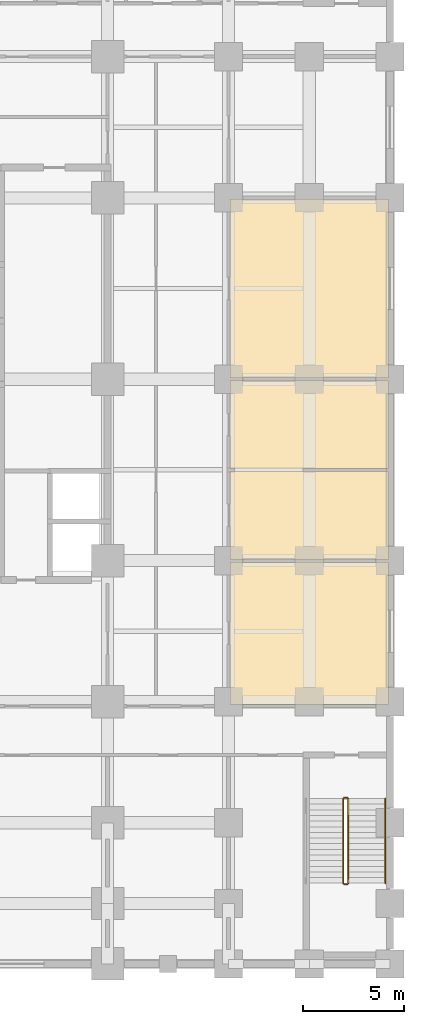
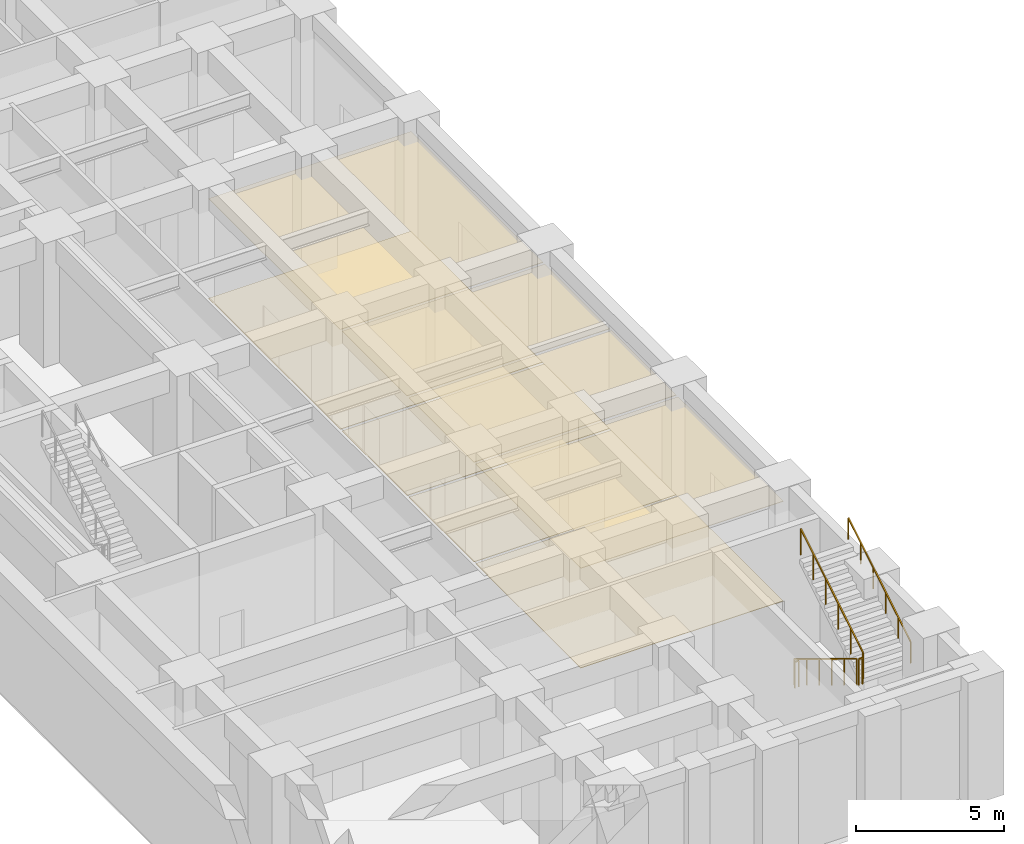
# One storey, part 22 of 23: 8 coverings, 5 railings.
"""IFC4 building model written with IfcOpenShell, lengths in metres."""

from ifc_helpers import new_model, si_unit, direction, frame, origin, origin_2d, place, context, subcontext, project, spatial, polyline, rectangle, outline, extrude, material, layer, layer_set, type_object, element, save


model = new_model("IFC4")

# Units and contexts
model_context = context("Model", 3, precision=1e-05, world=origin(), true_north=direction((0.0, 1.0)))
body_context = subcontext(model_context, "Body", "Model", "MODEL_VIEW")
ifc_project = project(units=[si_unit("LENGTHUNIT", "METRE"), si_unit("AREAUNIT", "SQUARE_METRE"), si_unit("VOLUMEUNIT", "CUBIC_METRE"), si_unit("PLANEANGLEUNIT", "RADIAN"), si_unit("MASSUNIT", "GRAM", prefix="KILO")], contexts=[model_context])

# Site, building, storey
site_placement = place(None, origin())
site = spatial("IfcSite", under=ifc_project, at=site_placement, CompositionType="ELEMENT")
building_placement = place(site_placement, origin())
building = spatial("IfcBuilding", under=site, at=building_placement, Name="Zulmaris Gate Convention Tower", CompositionType="ELEMENT")
storey_placement = place(building_placement, frame((0.0, 0.0, 10.8798828125)))
storey = spatial("IfcBuildingStorey", under=building, at=storey_placement, Name="L02", CompositionType="ELEMENT", Elevation=10.8798828125)

# Coverings
ifc_material_1 = material(Name="Mineral Fibre Acoustic Ceiling Tile")
ifc_layer_1 = layer(ifc_material_1, 0.02001953125, Name="Mineral Fibre Acoustic Ceiling Tile")
ifc_layer_set_1 = layer_set([ifc_layer_1], Name="Mineral Fibre Acoustic Ceiling Tile")
covering_type_1 = type_object("IfcCoveringType", Name="CLG-ACOUSTIC-600", PredefinedType="CEILING", material=ifc_layer_set_1)
covering_1_placement = place(storey_placement, frame((0.0, 0.0, 4.10009765625)))
element("IfcCovering", 1, at=covering_1_placement, inside=storey, type_object=covering_type_1, Name="CLG-L02-R71", PredefinedType="CEILING", context=body_context, shape_type="SweptSolid", body=[
    extrude(outline(polyline([(26.06005859375, -16.139892578125), (33.93994140625, -16.139892578125), (33.93994140625, -9.06005859375), (26.06005859375, -9.06005859375), (26.06005859375, -16.139892578125)])), origin(), (0.0, 0.0, 1.0), 0.02001953125),
])
covering_2_placement = place(storey_placement, frame((0.0, 0.0, 4.10009765625)))
element("IfcCovering", 2, at=covering_2_placement, inside=storey, type_object=covering_type_1, Name="CLG-L02-R72", PredefinedType="CEILING", context=body_context, shape_type="SweptSolid", body=[
    extrude(outline(polyline([(26.06005859375, -8.93994140625), (33.93994140625, -8.93994140625), (33.93994140625, -4.56005859375), (26.06005859375, -4.56005859375), (26.06005859375, -8.93994140625)])), origin(), (0.0, 0.0, 1.0), 0.02001953125),
])
covering_3_placement = place(storey_placement, frame((0.0, 0.0, 4.10009765625)))
element("IfcCovering", 3, at=covering_3_placement, inside=storey, type_object=covering_type_1, Name="CLG-L02-R73", PredefinedType="CEILING", context=body_context, shape_type="SweptSolid", body=[
    extrude(outline(polyline([(26.06005859375, -4.43994140625), (33.93994140625, -4.43994140625), (33.93994140625, -0.06005859375), (26.06005859375, -0.06005859375), (26.06005859375, -4.43994140625)])), origin(), (0.0, 0.0, 1.0), 0.02001953125),
])
covering_4_placement = place(storey_placement, frame((0.0, 0.0, 4.10009765625)))
element("IfcCovering", 4, at=covering_4_placement, inside=storey, type_object=covering_type_1, Name="CLG-L02-R74", PredefinedType="CEILING", context=body_context, shape_type="SweptSolid", body=[
    extrude(outline(polyline([(26.06005859375, 0.06005859375), (33.93994140625, 0.06005859375), (33.93994140625, 8.93994140625), (26.06005859375, 8.93994140625), (26.06005859375, 0.06005859375)])), origin(), (0.0, 0.0, 1.0), 0.02001953125),
])
ifc_material_2 = material(Name="Engineered Teak Parquet Flooring")
ifc_layer_2 = layer(ifc_material_2, 0.02001953125, Name="Engineered Teak Parquet Flooring")
ifc_layer_set_2 = layer_set([ifc_layer_2], Name="Engineered Teak Parquet Flooring")
covering_type_2 = type_object("IfcCoveringType", Name="FLR-TIMBER-18", PredefinedType="FLOORING", material=ifc_layer_set_2)
covering_5_placement = place(storey_placement, origin())
element("IfcCovering", 5, at=covering_5_placement, inside=storey, type_object=covering_type_2, Name="FLR-L02-R71", PredefinedType="FLOORING", context=body_context, shape_type="SweptSolid", body=[
    extrude(outline(polyline([(26.06005859375, -16.139892578125), (33.93994140625, -16.139892578125), (33.93994140625, -9.06005859375), (26.06005859375, -9.06005859375), (26.06005859375, -16.139892578125)])), origin(), (0.0, 0.0, 1.0), 0.02001953125),
])
covering_6_placement = place(storey_placement, origin())
element("IfcCovering", 6, at=covering_6_placement, inside=storey, type_object=covering_type_2, Name="FLR-L02-R72", PredefinedType="FLOORING", context=body_context, shape_type="SweptSolid", body=[
    extrude(outline(polyline([(26.06005859375, -8.93994140625), (33.93994140625, -8.93994140625), (33.93994140625, -4.56005859375), (26.06005859375, -4.56005859375), (26.06005859375, -8.93994140625)])), origin(), (0.0, 0.0, 1.0), 0.02001953125),
])
covering_7_placement = place(storey_placement, origin())
element("IfcCovering", 7, at=covering_7_placement, inside=storey, type_object=covering_type_2, Name="FLR-L02-R73", PredefinedType="FLOORING", context=body_context, shape_type="SweptSolid", body=[
    extrude(outline(polyline([(26.06005859375, -4.43994140625), (33.93994140625, -4.43994140625), (33.93994140625, -0.06005859375), (26.06005859375, -0.06005859375), (26.06005859375, -4.43994140625)])), origin(), (0.0, 0.0, 1.0), 0.02001953125),
])
covering_8_placement = place(storey_placement, origin())
element("IfcCovering", 8, at=covering_8_placement, inside=storey, type_object=covering_type_2, Name="FLR-L02-R74", PredefinedType="FLOORING", context=body_context, shape_type="SweptSolid", body=[
    extrude(outline(polyline([(26.06005859375, 0.06005859375), (33.93994140625, 0.06005859375), (33.93994140625, 8.93994140625), (26.06005859375, 8.93994140625), (26.06005859375, 0.06005859375)])), origin(), (0.0, 0.0, 1.0), 0.02001953125),
])

# Railings
ifc_material_3 = material(Name="Painted Galvanised Steel", Category="steel")
railing_type_1 = type_object("IfcRailingType", Name="RL-STG-1150", PredefinedType="GUARDRAIL", material=ifc_material_3)
railing_1_placement = place(storey_placement, frame((31.679931640625, -20.800048828125, 0.169921875)))
element("IfcRailing", 9, at=railing_1_placement, inside=storey, type_object=railing_type_1, Name="L02 ST-6 stair guard 1", PredefinedType="GUARDRAIL", context=body_context, shape_type="SweptSolid", body=[
    extrude(rectangle(XDim=0.048095703125, YDim=0.048095703125, at=origin_2d()), frame((0.0, 0.0, 1.076171875), z_axis=(0.0, -0.854758387255, 0.519026106683), x_axis=(1.0, 0.0, 0.0)), (0.0, 0.0, 1.0), 4.91357421875),
    extrude(rectangle(XDim=0.0419921875, YDim=0.0419921875, at=origin_2d()), origin(), (0.0, 0.0, 1.0), 1.052001953125),
    extrude(rectangle(XDim=0.0419921875, YDim=0.0419921875, at=origin_2d()), frame((0.0, -0.840087890625, 0.510009765625)), (0.0, 0.0, 1.0), 1.052001953125),
    extrude(rectangle(XDim=0.0419921875, YDim=0.0419921875, at=origin_2d()), frame((0.0, -1.679931640625, 1.02001953125)), (0.0, 0.0, 1.0), 1.052001953125),
    extrude(rectangle(XDim=0.0419921875, YDim=0.0419921875, at=origin_2d()), frame((0.0, -2.52001953125, 1.5302734375)), (0.0, 0.0, 1.0), 1.052001953125),
    extrude(rectangle(XDim=0.0419921875, YDim=0.0419921875, at=origin_2d()), frame((0.0, -3.35986328125, 2.040283203125)), (0.0, 0.0, 1.0), 1.052001953125),
    extrude(rectangle(XDim=0.0419921875, YDim=0.0419921875, at=origin_2d()), frame((0.0, -4.199951171875, 2.55029296875)), (0.0, 0.0, 1.0), 1.052001953125),
])
railing_2_placement = place(storey_placement, frame((31.72998046875, -25.050048828125, 2.72021484375)))
element("IfcRailing", 10, at=railing_2_placement, inside=storey, type_object=railing_type_1, Name="L02 ST-6 stair guard 2", PredefinedType="GUARDRAIL", context=body_context, shape_type="SweptSolid", body=[
    extrude(rectangle(XDim=0.048095703125, YDim=0.048095703125, at=origin_2d()), frame((0.0, 0.0, 1.076171875), z_axis=(1.0, 0.0, 0.0), x_axis=(0.0, 1.0, 0.0)), (0.0, 0.0, 1.0), 0.14990234375),
    extrude(rectangle(XDim=0.0419921875, YDim=0.0419921875, at=origin_2d()), origin(), (0.0, 0.0, 1.0), 1.052001953125),
    extrude(rectangle(XDim=0.0419921875, YDim=0.0419921875, at=origin_2d()), frame((0.14990234375, 0.0, 0.0)), (0.0, 0.0, 1.0), 1.052001953125),
])
railing_3_placement = place(storey_placement, frame((31.929931640625, -25.0, 2.89013671875)))
element("IfcRailing", 11, at=railing_3_placement, inside=storey, type_object=railing_type_1, Name="L02 ST-6 stair guard 3", PredefinedType="GUARDRAIL", context=body_context, shape_type="SweptSolid", body=[
    extrude(rectangle(XDim=0.048095703125, YDim=0.048095703125, at=origin_2d()), frame((0.0, 0.0, 1.076171875), z_axis=(0.0, 0.854780430106, 0.518989803665), x_axis=(-1.0, 0.0, 0.0)), (0.0, 0.0, 1.0), 4.91357421875),
    extrude(rectangle(XDim=0.0419921875, YDim=0.0419921875, at=origin_2d()), origin(), (0.0, 0.0, 1.0), 1.052001953125),
    extrude(rectangle(XDim=0.0419921875, YDim=0.0419921875, at=origin_2d()), frame((0.0, 0.840087890625, 0.510009765625)), (0.0, 0.0, 1.0), 1.052001953125),
    extrude(rectangle(XDim=0.0419921875, YDim=0.0419921875, at=origin_2d()), frame((0.0, 1.679931640625, 1.02001953125)), (0.0, 0.0, 1.0), 1.052001953125),
    extrude(rectangle(XDim=0.0419921875, YDim=0.0419921875, at=origin_2d()), frame((0.0, 2.52001953125, 1.530029296875)), (0.0, 0.0, 1.0), 1.052001953125),
    extrude(rectangle(XDim=0.0419921875, YDim=0.0419921875, at=origin_2d()), frame((0.0, 3.35986328125, 2.0400390625)), (0.0, 0.0, 1.0), 1.052001953125),
    extrude(rectangle(XDim=0.0419921875, YDim=0.0419921875, at=origin_2d()), frame((0.0, 4.199951171875, 2.550048828125)), (0.0, 0.0, 1.0), 1.052001953125),
])
railing_4_placement = place(storey_placement, frame((31.72998046875, -20.75, 0.0)))
element("IfcRailing", 12, at=railing_4_placement, inside=storey, type_object=railing_type_1, Name="L02 ST-6 stair guard 4", PredefinedType="GUARDRAIL", context=body_context, shape_type="SweptSolid", body=[
    extrude(rectangle(XDim=0.048095703125, YDim=0.048095703125, at=origin_2d()), frame((0.0, 0.0, 1.076171875), z_axis=(1.0, 0.0, 0.0), x_axis=(0.0, 1.0, 0.0)), (0.0, 0.0, 1.0), 0.14990234375),
    extrude(rectangle(XDim=0.0419921875, YDim=0.0419921875, at=origin_2d()), origin(), (0.0, 0.0, 1.0), 1.052001953125),
    extrude(rectangle(XDim=0.0419921875, YDim=0.0419921875, at=origin_2d()), frame((0.14990234375, 0.0, 0.0)), (0.0, 0.0, 1.0), 1.052001953125),
])
ifc_material_4 = material(Name="Brushed Stainless Steel", Category="steel")
railing_type_2 = type_object("IfcRailingType", Name="RL-STH-900", PredefinedType="HANDRAIL", material=ifc_material_4)
railing_5_placement = place(storey_placement, frame((33.780029296875, -25.0, 2.89013671875)))
element("IfcRailing", 13, at=railing_5_placement, inside=storey, type_object=railing_type_2, Name="L02 ST-6 stair handrail 2", PredefinedType="HANDRAIL", context=body_context, shape_type="SweptSolid", body=[
    extrude(rectangle(XDim=0.048095703125, YDim=0.048095703125, at=origin_2d()), frame((0.0, 0.0, 0.8759765625), z_axis=(0.0, 0.854780430106, 0.518989803665), x_axis=(-1.0, 0.0, 0.0)), (0.0, 0.0, 1.0), 4.91357421875),
    extrude(rectangle(XDim=0.0419921875, YDim=0.0419921875, at=origin_2d()), origin(), (0.0, 0.0, 1.0), 0.851806640625),
    extrude(rectangle(XDim=0.0419921875, YDim=0.0419921875, at=origin_2d()), frame((0.0, 0.840087890625, 0.510009765625)), (0.0, 0.0, 1.0), 0.851806640625),
    extrude(rectangle(XDim=0.0419921875, YDim=0.0419921875, at=origin_2d()), frame((0.0, 1.679931640625, 1.02001953125)), (0.0, 0.0, 1.0), 0.851806640625),
    extrude(rectangle(XDim=0.0419921875, YDim=0.0419921875, at=origin_2d()), frame((0.0, 2.52001953125, 1.530029296875)), (0.0, 0.0, 1.0), 0.851806640625),
    extrude(rectangle(XDim=0.0419921875, YDim=0.0419921875, at=origin_2d()), frame((0.0, 3.35986328125, 2.0400390625)), (0.0, 0.0, 1.0), 0.851806640625),
    extrude(rectangle(XDim=0.0419921875, YDim=0.0419921875, at=origin_2d()), frame((0.0, 4.199951171875, 2.550048828125)), (0.0, 0.0, 1.0), 0.851806640625),
])

save(model, "model.ifc")
